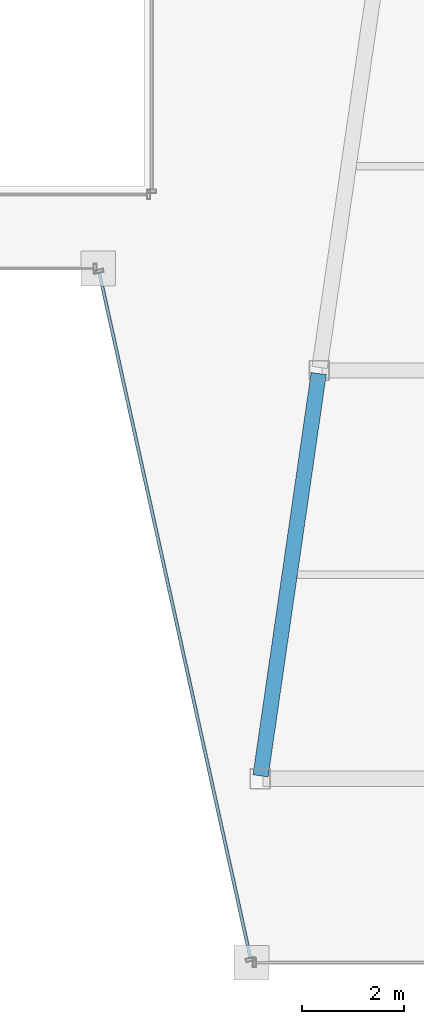
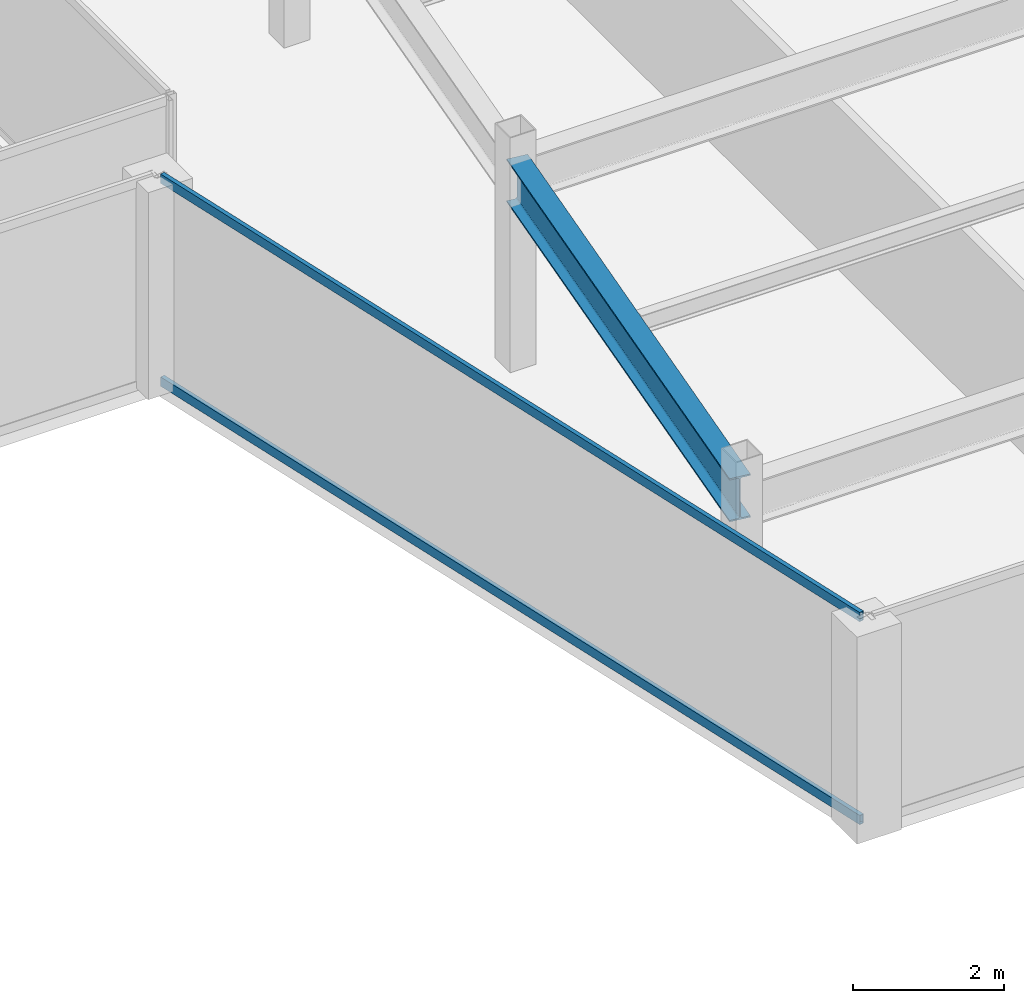
# One storey, part 15 of 34: 2 members, 1 beam, 1 element without a shape of its own.
"""IFC4 building model written with IfcOpenShell, lengths in metres."""

from ifc_helpers import new_model, si_unit, direction, frame, origin, origin_2d, place, context, subcontext, project, spatial, hollow_rectangle, i_section, extrude, material, material_profile, profile_set, type_object, element, aggregate, save


model = new_model("IFC4")

# Units and contexts
model_context = context("Model", 3, precision=1e-05, world=origin(), true_north=direction((0.0, 1.0)))
body_context = subcontext(model_context, "Body", "Model", "MODEL_VIEW")
ifc_project = project(units=[si_unit("LENGTHUNIT", "METRE"), si_unit("AREAUNIT", "SQUARE_METRE"), si_unit("VOLUMEUNIT", "CUBIC_METRE"), si_unit("PLANEANGLEUNIT", "RADIAN"), si_unit("MASSUNIT", "GRAM", prefix="KILO")], contexts=[model_context])

# Site, building, storey
site_placement = place(None, origin())
site = spatial("IfcSite", under=ifc_project, at=site_placement, CompositionType="ELEMENT")
building_placement = place(site_placement, origin())
building = spatial("IfcBuilding", under=site, at=building_placement, Name="Saevonmaru Cultural Tower", CompositionType="ELEMENT")
storey_placement = place(building_placement, frame((0.0, 0.0, 220.800048828125)))
storey = spatial("IfcBuildingStorey", under=building, at=storey_placement, Name="L51", CompositionType="ELEMENT", Elevation=220.800048828125)

# Beam
ifc_material_1 = material(Name="Steel SM355", Category="steel")
ifc_material_profile_1 = material_profile(ifc_material_1, i_section(OverallWidth=0.300048828125, OverallDepth=0.699951171875, WebThickness=0.012939453125, FlangeThickness=0.02392578125, FilletRadius=0.02587890625, at=origin_2d()), Name="H-700x300x13x24")
ifc_profile_set_1 = profile_set([ifc_material_profile_1], Name="Steel SM355")
beam_type = type_object("IfcBeamType", Name="BM-G-H700", PredefinedType="BEAM", material=ifc_profile_set_1)
beam_placement = place(storey_placement, frame((38.08056640625, 16.059326171875, 3.0), z_axis=(0.143022161059, 0.989719486241, 0.0), x_axis=(-0.989719486241, 0.143022161059, 0.0)))
element("IfcBeam", 1, at=beam_placement, inside=storey, type_object=beam_type, Name="L51 East Atrium Girder 1", PredefinedType="BEAM", context=body_context, shape_type="SweptSolid", body=[
    extrude(i_section(OverallWidth=0.300048828125, OverallDepth=0.699951171875, WebThickness=0.012939453125, FlangeThickness=0.02392578125, FilletRadius=0.02587890625, at=origin_2d()), origin(), (0.0, 0.0, 1.0), 7.963134765625),
])

# Curtain wall, members
ifc_material_2 = material(Name="Satin Bronze Anodised Aluminium", Category="aluminium")
curtain_wall_type = type_object("IfcCurtainWallType", Name="CW-TYP-B", PredefinedType="NOTDEFINED", material=ifc_material_2)
curtain_wall_placement = place(storey_placement, origin())
curtain_wall = element("IfcCurtainWall", 2, at=curtain_wall_placement, inside=storey, type_object=curtain_wall_type, Name="L51 Unitised Curtain Wall E5", PredefinedType="NOTDEFINED")
ifc_material_profile_2 = material_profile(ifc_material_2, hollow_rectangle(XDim=0.06494140625, YDim=0.14990234375, WallThickness=0.00390625, at=origin_2d()), Name="ALU-TRAN-150x65x4")
ifc_profile_set_2 = profile_set([ifc_material_profile_2], Name="Satin Bronze Anodised Aluminium")
member_type = type_object("IfcMemberType", Name="TR-CW-150x65", PredefinedType="USERDEFINED", material=ifc_profile_set_2)
member_1_placement = place(storey_placement, frame((34.922119140625, 25.90966796875, 0.032470703125), z_axis=(0.21541214732, -0.976523223885, 0.0), x_axis=(0.976523223885, 0.21541214732, 0.0)))
member_1 = element("IfcMember", 3, at=member_1_placement, type_object=member_type, Name="CW-TW-L51-E5 transom 1.1", ObjectType="TRANSOM", PredefinedType="USERDEFINED", context=body_context, shape_type="SweptSolid", body=[
    extrude(hollow_rectangle(XDim=0.06494140625, YDim=0.14990234375, WallThickness=0.00390625, at=origin_2d()), origin(), (0.0, 0.0, 1.0), 13.741943359375),
])
member_2_placement = place(storey_placement, frame((34.922119140625, 25.90966796875, 3.3173828125), z_axis=(0.21541214732, -0.976523223885, 0.0), x_axis=(0.976523223885, 0.21541214732, 0.0)))
member_2 = element("IfcMember", 4, at=member_2_placement, type_object=member_type, Name="CW-TW-L51-E5 transom 1.2", ObjectType="TRANSOM", PredefinedType="USERDEFINED", context=body_context, shape_type="SweptSolid", body=[
    extrude(hollow_rectangle(XDim=0.06494140625, YDim=0.14990234375, WallThickness=0.00390625, at=origin_2d()), origin(), (0.0, 0.0, 1.0), 13.741943359375),
])
aggregate(curtain_wall, [member_1, member_2])

save(model, "model.ifc")
